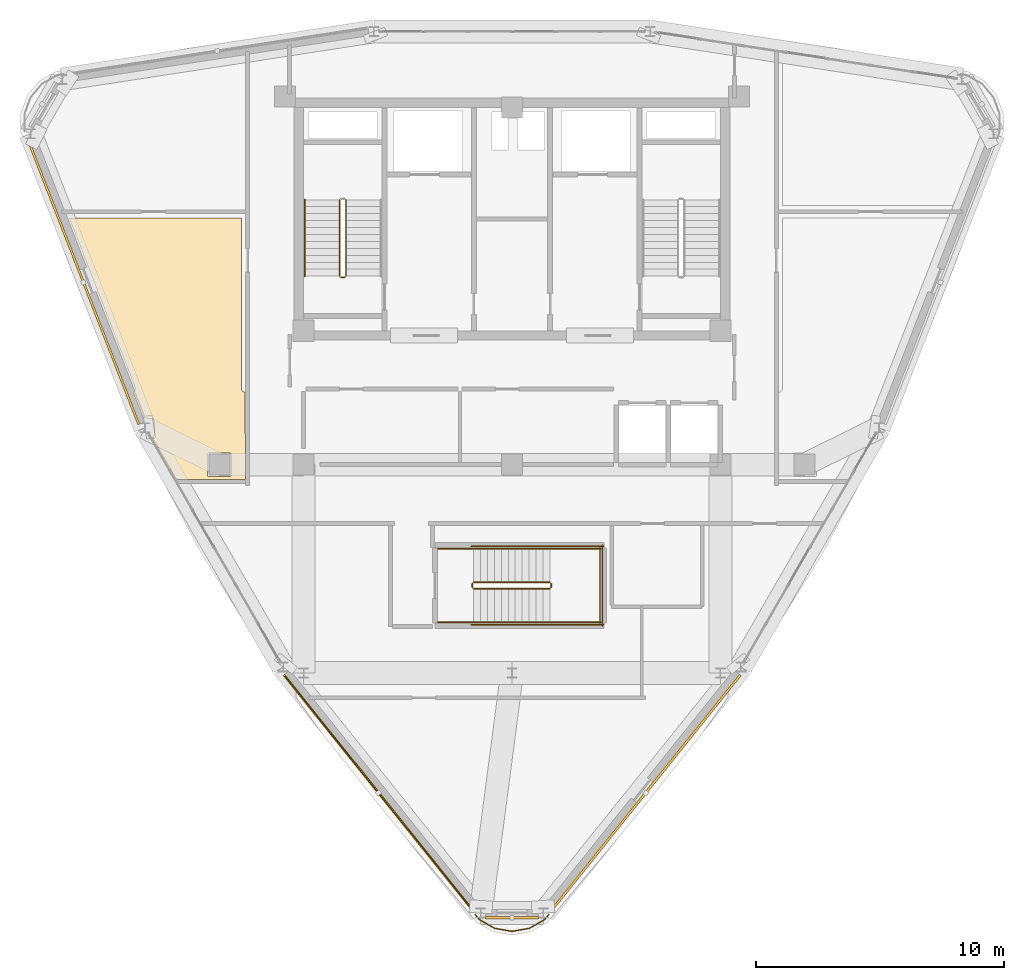
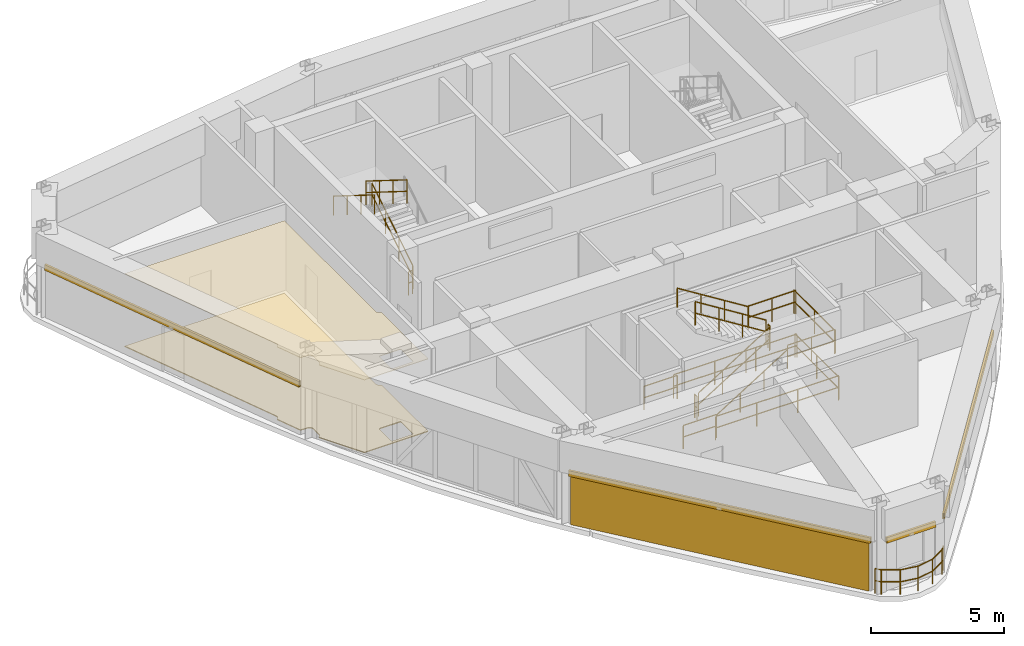
# One storey, part 16 of 17: 19 railings, 4 shading devices, 3 coverings.
"""IFC4 building model written with IfcOpenShell, lengths in metres."""

from ifc_helpers import new_model, si_unit, derived_unit, direction, frame, origin, origin_2d, place, context, subcontext, project, spatial, polyline, hollow_rectangle, circle, outline, extrude, source, transform, mapped, material, layer, layer_set, material_profile, profile_set, type_object, element, save


model = new_model("IFC4")

# Units and contexts
model_context = context("Model", 3, precision=1e-05, world=origin(), true_north=direction((0.0, 1.0)))
body_context = subcontext(model_context, "Body", "Model", "MODEL_VIEW")
ifc_project = project(units=[si_unit("LENGTHUNIT", "METRE"), si_unit("AREAUNIT", "SQUARE_METRE"), si_unit("VOLUMEUNIT", "CUBIC_METRE"), si_unit("PLANEANGLEUNIT", "RADIAN"), si_unit("MASSUNIT", "GRAM", prefix="KILO"), derived_unit("THERMALTRANSMITTANCEUNIT", [(si_unit("POWERUNIT", "WATT"), 1), (si_unit("LENGTHUNIT", "METRE"), -2), (si_unit("THERMODYNAMICTEMPERATUREUNIT", "KELVIN"), -1)])], contexts=[model_context])

# Site, building, storey
site_placement = place(None, origin())
site = spatial("IfcSite", under=ifc_project, at=site_placement, CompositionType="ELEMENT")
building_placement = place(site_placement, origin())
building = spatial("IfcBuilding", under=site, at=building_placement, Name="Korsvarv Bourse and Concert Hall", CompositionType="ELEMENT")
storey_placement = place(building_placement, frame((0.0, 0.0, 279.60009765625)))
storey = spatial("IfcBuildingStorey", under=building, at=storey_placement, Name="L73", CompositionType="ELEMENT", Elevation=279.60009765625)

# Coverings
ifc_material_1 = material(Name="Perforated mineral-wool and birch acoustic baffle ceiling", Category="wood")
ifc_layer_1 = layer(ifc_material_1, 0.02490234375)
ifc_layer_set_1 = layer_set([ifc_layer_1], Name="Perforated mineral-wool and birch acoustic baffle ceiling")
covering_type_1 = type_object("IfcCoveringType", Name="COV-CEIL-1", PredefinedType="CEILING", material=ifc_layer_set_1)
covering_1_placement = place(storey_placement, frame((0.0, 0.0, 3.33984375)))
element("IfcCovering", 1, at=covering_1_placement, inside=storey, type_object=covering_type_1, Name="L73 acoustic baffle ceiling 2", PredefinedType="CEILING", context=body_context, shape_type="SweptSolid", body=[
    extrude(outline(polyline([(20.71923828125, 35.323486328125), (20.748291015625, 35.344970703125), (20.7724609375, 35.371826171875), (20.79052734375, 35.40283203125), (20.80224609375, 35.43701171875), (20.806884765625, 35.47265625), (20.804443359375, 35.508544921875), (20.794921875, 35.543212890625), (18.1494140625, 42.35009765625), (25.090087890625, 42.35009765625), (25.090087890625, 35.489990234375), (25.09375, 35.453857421875), (25.1044921875, 35.4189453125), (25.122314453125, 35.38720703125), (25.14599609375, 35.359619140625), (25.1748046875, 35.33740234375), (25.20751953125, 35.3212890625), (25.24267578125, 35.31201171875), (25.25, 31.81005859375), (22.55419921875, 31.81005859375), (22.517333984375, 31.80615234375), (22.4833984375, 31.79541015625), (21.488037109375, 33.519775390625), (21.5185546875, 33.53955078125), (21.54345703125, 33.563720703125), (21.56298828125, 33.59228515625), (21.576904296875, 33.624267578125), (21.58447265625, 33.658203125), (21.595703125, 34.08447265625), (21.593017578125, 34.11962890625), (21.583740234375, 34.15380859375), (21.56787109375, 34.185302734375), (21.546142578125, 34.212890625), (21.519287109375, 34.236083984375), (21.48876953125, 34.25341796875), (21.455078125, 34.264404296875), (21.420166015625, 34.268798828125), (21.128173828125, 34.27587890625), (20.71923828125, 35.323486328125)]), holes=[polyline([(23.76513671875, 31.926025390625), (24.625, 31.925048828125), (24.648681640625, 31.930908203125), (24.66650390625, 31.947265625), (24.6748046875, 31.97021484375), (24.675048828125, 32.824951171875), (24.669189453125, 32.8486328125), (24.65283203125, 32.86669921875), (24.6298828125, 32.874755859375), (23.77490234375, 32.875), (23.75146484375, 32.869140625), (23.7333984375, 32.852783203125), (23.72509765625, 32.829833984375), (23.72509765625, 31.97509765625), (23.73095703125, 31.951416015625), (23.76513671875, 31.926025390625)])]), origin(), (0.0, 0.0, 1.0), 0.025146484375),
])
ifc_material_2 = material(Name="Warm iron-oxide extruded terracotta rainscreen tile", Category="ceramic")
ifc_layer_2 = layer(ifc_material_2, 0.044921875)
ifc_layer_set_2 = layer_set([ifc_layer_2], Name="Warm iron-oxide extruded terracotta rainscreen tile")
covering_type_2 = type_object("IfcCoveringType", Name="COV-CLD-TC", PredefinedType="CLADDING", material=ifc_layer_set_2)
covering_2_placement = place(storey_placement, origin())
element("IfcCovering", 2, at=covering_2_placement, inside=storey, type_object=covering_type_2, Name="L73 fluted terracotta cladding panel EW-L73-B08", PredefinedType="CLADDING", context=body_context, shape_type="SweptSolid", body=[
    extrude(outline(polyline([(26.8837890625, 23.891357421875), (34.413330078125, 14.505859375), (34.378173828125, 14.477783203125), (26.8486328125, 23.86328125), (26.8837890625, 23.891357421875)])), origin(), (0.0, 0.0, 1.0), 2.199951171875),
])
ifc_material_3 = material(Name="Calcium-sulphate raised access trading floor with Nordic oak top", Category="wood")
ifc_layer_3 = layer(ifc_material_3, 0.0400390625)
ifc_layer_set_3 = layer_set([ifc_layer_3], Name="Calcium-sulphate raised access trading floor with Nordic oak top")
covering_type_3 = type_object("IfcCoveringType", Name="COV-FLOR-1", PredefinedType="FLOORING", material=ifc_layer_set_3)
covering_3_placement = place(storey_placement, origin())
element("IfcCovering", 3, at=covering_3_placement, inside=storey, type_object=covering_type_3, Name="L73 raised access oak floor finish 2", PredefinedType="FLOORING", context=body_context, shape_type="SweptSolid", body=[
    extrude(outline(polyline([(20.71923828125, 35.323486328125), (20.748291015625, 35.344970703125), (20.7724609375, 35.371826171875), (20.79052734375, 35.40283203125), (20.80224609375, 35.43701171875), (20.806884765625, 35.47265625), (20.804443359375, 35.508544921875), (20.794921875, 35.543212890625), (18.1494140625, 42.35009765625), (25.090087890625, 42.35009765625), (25.090087890625, 35.489990234375), (25.09375, 35.453857421875), (25.1044921875, 35.4189453125), (25.122314453125, 35.38720703125), (25.14599609375, 35.359619140625), (25.1748046875, 35.33740234375), (25.20751953125, 35.3212890625), (25.24267578125, 35.31201171875), (25.25, 31.81005859375), (22.55419921875, 31.81005859375), (22.517333984375, 31.80615234375), (22.4833984375, 31.79541015625), (21.488037109375, 33.519775390625), (21.5185546875, 33.53955078125), (21.54345703125, 33.563720703125), (21.56298828125, 33.59228515625), (21.576904296875, 33.624267578125), (21.58447265625, 33.658203125), (21.595703125, 34.08447265625), (21.593017578125, 34.11962890625), (21.583740234375, 34.15380859375), (21.56787109375, 34.185302734375), (21.546142578125, 34.212890625), (21.519287109375, 34.236083984375), (21.48876953125, 34.25341796875), (21.455078125, 34.264404296875), (21.420166015625, 34.268798828125), (21.128173828125, 34.27587890625), (20.71923828125, 35.323486328125)]), holes=[polyline([(23.76513671875, 31.926025390625), (24.625, 31.925048828125), (24.648681640625, 31.930908203125), (24.66650390625, 31.947265625), (24.6748046875, 31.97021484375), (24.675048828125, 32.824951171875), (24.669189453125, 32.8486328125), (24.65283203125, 32.86669921875), (24.6298828125, 32.874755859375), (23.77490234375, 32.875), (23.75146484375, 32.869140625), (23.7333984375, 32.852783203125), (23.72509765625, 32.829833984375), (23.72509765625, 31.97509765625), (23.73095703125, 31.951416015625), (23.76513671875, 31.926025390625)])]), origin(), (0.0, 0.0, 1.0), 0.039794921875),
])

# Railings
ifc_material_4 = material(Name="Laminated safety glass and stainless Steel S355 balustrade", Category="steel")
railing_type_1 = type_object("IfcRailingType", Name="RL-BAL-EXT", PredefinedType="BALUSTRADE", material=ifc_material_4)
railing_1_placement = place(storey_placement, frame((37.482421875, 14.259765625, 0.0)))
element("IfcRailing", 4, at=railing_1_placement, inside=storey, type_object=railing_type_1, Name="L73 terrace perimeter balustrade SKYG3-1", PredefinedType="BALUSTRADE", context=body_context, shape_type="SweptSolid", body=[
    extrude(circle(Radius=0.02392578125, at=origin_2d()), frame((0.0, 0.0, 1.1259765625), z_axis=(-0.642465666798, -0.766314470036, 0.0), x_axis=(0.766314470036, -0.642465666798, 0.0)), (0.0, 0.0, 1.0), 0.25244140625),
    extrude(circle(Radius=0.02392578125, at=origin_2d()), frame((0.0, 0.0, 0.574951171875), z_axis=(-0.642465666798, -0.766314470036, 0.0), x_axis=(0.766314470036, -0.642465666798, 0.0)), (0.0, 0.0, 1.0), 0.25244140625),
    extrude(circle(Radius=0.02392578125, at=origin_2d()), frame((-0.162109375, -0.193359375, 1.1259765625), z_axis=(-0.866128586522, -0.499821239653, 0.0), x_axis=(0.499821239653, -0.866128586522, 0.0)), (0.0, 0.0, 1.0), 0.713134765625),
    extrude(circle(Radius=0.02392578125, at=origin_2d()), frame((-0.162109375, -0.193359375, 0.574951171875), z_axis=(-0.866128586522, -0.499821239653, 0.0), x_axis=(0.499821239653, -0.866128586522, 0.0)), (0.0, 0.0, 1.0), 0.713134765625),
    extrude(circle(Radius=0.02392578125, at=origin_2d()), frame((-0.77978515625, -0.5498046875, 1.1259765625), z_axis=(-0.984776668635, -0.173824373755, 0.0), x_axis=(0.173824373755, -0.984776668635, 0.0)), (0.0, 0.0, 1.0), 0.71337890625),
    extrude(circle(Radius=0.02392578125, at=origin_2d()), frame((-0.77978515625, -0.5498046875, 0.574951171875), z_axis=(-0.984776668635, -0.173824373755, 0.0), x_axis=(0.173824373755, -0.984776668635, 0.0)), (0.0, 0.0, 1.0), 0.71337890625),
    extrude(circle(Radius=0.02392578125, at=origin_2d()), frame((-1.482421875, -0.673828125, 1.1259765625), z_axis=(-0.984776668635, 0.173824373755, 0.0), x_axis=(-0.173824373755, -0.984776668635, 0.0)), (0.0, 0.0, 1.0), 0.71337890625),
    extrude(circle(Radius=0.02392578125, at=origin_2d()), frame((-1.482421875, -0.673828125, 0.574951171875), z_axis=(-0.984776668635, 0.173824373755, 0.0), x_axis=(-0.173824373755, -0.984776668635, 0.0)), (0.0, 0.0, 1.0), 0.71337890625),
    extrude(circle(Radius=0.02392578125, at=origin_2d()), frame((-2.18505859375, -0.5498046875, 1.1259765625), z_axis=(-0.866128586522, 0.499821239653, 0.0), x_axis=(-0.499821239653, -0.866128586522, 0.0)), (0.0, 0.0, 1.0), 0.713134765625),
    extrude(circle(Radius=0.02392578125, at=origin_2d()), frame((-2.18505859375, -0.5498046875, 0.574951171875), z_axis=(-0.866128586522, 0.499821239653, 0.0), x_axis=(-0.499821239653, -0.866128586522, 0.0)), (0.0, 0.0, 1.0), 0.713134765625),
    extrude(circle(Radius=0.02392578125, at=origin_2d()), frame((-2.802734375, -0.193359375, 1.1259765625), z_axis=(-0.642465666798, 0.766314470036, 0.0), x_axis=(-0.766314470036, -0.642465666798, 0.0)), (0.0, 0.0, 1.0), 0.25244140625),
    extrude(circle(Radius=0.02392578125, at=origin_2d()), frame((-2.802734375, -0.193359375, 0.574951171875), z_axis=(-0.642465666798, 0.766314470036, 0.0), x_axis=(-0.766314470036, -0.642465666798, 0.0)), (0.0, 0.0, 1.0), 0.25244140625),
    extrude(circle(Radius=0.02099609375, at=origin_2d()), origin(), (0.0, 0.0, 1.0), 1.101806640625),
    extrude(circle(Radius=0.02099609375, at=origin_2d()), frame((-0.162109375, -0.193359375, 0.0)), (0.0, 0.0, 1.0), 1.101806640625),
    extrude(circle(Radius=0.02099609375, at=origin_2d()), frame((-0.77978515625, -0.5498046875, 0.0)), (0.0, 0.0, 1.0), 1.101806640625),
    extrude(circle(Radius=0.02099609375, at=origin_2d()), frame((-1.482421875, -0.673828125, 0.0)), (0.0, 0.0, 1.0), 1.101806640625),
    extrude(circle(Radius=0.02099609375, at=origin_2d()), frame((-2.18505859375, -0.5498046875, 0.0)), (0.0, 0.0, 1.0), 1.101806640625),
    extrude(circle(Radius=0.02099609375, at=origin_2d()), frame((-2.802734375, -0.193359375, 0.0)), (0.0, 0.0, 1.0), 1.101806640625),
    extrude(circle(Radius=0.02099609375, at=origin_2d()), frame((-2.96484375, 0.0, 0.0)), (0.0, 0.0, 1.0), 1.101806640625),
])
ifc_material_5 = material(Name="Painted Steel S355 stair well guardrail", Category="steel")
railing_type_2 = type_object("IfcRailingType", Name="RL-ST-GRD", PredefinedType="GUARDRAIL", material=ifc_material_5)
railing_2_placement = place(storey_placement, frame((29.31005859375, 40.0, 0.1748046875)))
element("IfcRailing", 5, at=railing_2_placement, inside=storey, type_object=railing_type_2, Name="L73 ST-T1 stair guard 1", PredefinedType="GUARDRAIL", context=body_context, shape_type="SweptSolid", body=[
    extrude(circle(Radius=0.02392578125, at=origin_2d()), frame((0.0, 0.0, 1.076171875), z_axis=(0.0, 0.847998304005, 0.529998940003), x_axis=(-1.0, 0.0, 0.0)), (0.0, 0.0, 1.0), 3.632080078125),
    extrude(circle(Radius=0.02392578125, at=origin_2d()), frame((0.0, 0.0, 0.550048828125), z_axis=(0.0, 0.847998304005, 0.529998940003), x_axis=(-1.0, 0.0, 0.0)), (0.0, 0.0, 1.0), 3.632080078125),
    extrude(circle(Radius=0.02099609375, at=origin_2d()), origin(), (0.0, 0.0, 1.0), 1.052001953125),
    extrude(circle(Radius=0.02099609375, at=origin_2d()), frame((0.0, 1.026611328125, 0.6416015625)), (0.0, 0.0, 1.0), 1.052001953125),
    extrude(circle(Radius=0.02099609375, at=origin_2d()), frame((0.0, 2.053466796875, 1.283447265625)), (0.0, 0.0, 1.0), 1.052001953125),
    extrude(circle(Radius=0.02099609375, at=origin_2d()), frame((0.0, 3.080078125, 1.925048828125)), (0.0, 0.0, 1.0), 1.052001953125),
])
railing_3_placement = place(storey_placement, frame((29.050048828125, 43.080078125, 2.27490234375)))
element("IfcRailing", 6, at=railing_3_placement, inside=storey, type_object=railing_type_2, Name="L73 ST-T1 stair guard 3", PredefinedType="GUARDRAIL", context=body_context, shape_type="SweptSolid", body=[
    extrude(circle(Radius=0.02392578125, at=origin_2d()), frame((0.0, 0.0, 1.076171875), z_axis=(0.0, -0.847998304005, 0.529998940003), x_axis=(1.0, 0.0, 0.0)), (0.0, 0.0, 1.0), 3.632080078125),
    extrude(circle(Radius=0.02392578125, at=origin_2d()), frame((0.0, 0.0, 0.550048828125), z_axis=(0.0, -0.847998304005, 0.529998940003), x_axis=(1.0, 0.0, 0.0)), (0.0, 0.0, 1.0), 3.632080078125),
    extrude(circle(Radius=0.02099609375, at=origin_2d()), origin(), (0.0, 0.0, 1.0), 1.052001953125),
    extrude(circle(Radius=0.02099609375, at=origin_2d()), frame((0.0, -1.026611328125, 0.6416015625)), (0.0, 0.0, 1.0), 1.052001953125),
    extrude(circle(Radius=0.02099609375, at=origin_2d()), frame((0.0, -2.053466796875, 1.283447265625)), (0.0, 0.0, 1.0), 1.052001953125),
    extrude(circle(Radius=0.02099609375, at=origin_2d()), frame((0.0, -3.080078125, 1.925048828125)), (0.0, 0.0, 1.0), 1.052001953125),
])
railing_4_placement = place(storey_placement, frame((29.260009765625, 39.949951171875, 0.0)))
element("IfcRailing", 7, at=railing_4_placement, inside=storey, type_object=railing_type_2, Name="L73 ST-T1 stair guard 4", PredefinedType="GUARDRAIL", context=body_context, shape_type="SweptSolid", body=[
    extrude(circle(Radius=0.02392578125, at=origin_2d()), frame((0.0, 0.0, 1.076171875), z_axis=(-1.0, 0.0, 0.0), x_axis=(0.0, -1.0, 0.0)), (0.0, 0.0, 1.0), 0.159912109375),
    extrude(circle(Radius=0.02392578125, at=origin_2d()), frame((0.0, 0.0, 0.550048828125), z_axis=(-1.0, 0.0, 0.0), x_axis=(0.0, -1.0, 0.0)), (0.0, 0.0, 1.0), 0.159912109375),
    extrude(circle(Radius=0.02099609375, at=origin_2d()), origin(), (0.0, 0.0, 1.0), 1.052001953125),
    extrude(circle(Radius=0.02099609375, at=origin_2d()), frame((-0.159912109375, 0.0, 0.0)), (0.0, 0.0, 1.0), 1.052001953125),
])
railing_5_placement = place(storey_placement, frame((34.449951171875, 27.39990234375, 0.1748046875)))
element("IfcRailing", 8, at=railing_5_placement, inside=storey, type_object=railing_type_2, Name="L73 ST-LK1 stair guard 1", PredefinedType="GUARDRAIL", context=body_context, shape_type="SweptSolid", body=[
    extrude(circle(Radius=0.02392578125, at=origin_2d()), frame((0.0, 0.0, 1.076171875), z_axis=(0.847998304005, 0.0, 0.529998940003), x_axis=(0.0, 1.0, 0.0)), (0.0, 0.0, 1.0), 3.632080078125),
    extrude(circle(Radius=0.02392578125, at=origin_2d()), frame((0.0, 0.0, 0.550048828125), z_axis=(0.847998304005, 0.0, 0.529998940003), x_axis=(0.0, 1.0, 0.0)), (0.0, 0.0, 1.0), 3.632080078125),
    extrude(circle(Radius=0.02099609375, at=origin_2d()), origin(), (0.0, 0.0, 1.0), 1.052001953125),
    extrude(circle(Radius=0.02099609375, at=origin_2d()), frame((1.026611328125, 0.0, 0.6416015625)), (0.0, 0.0, 1.0), 1.052001953125),
    extrude(circle(Radius=0.02099609375, at=origin_2d()), frame((2.053466796875, 0.0, 1.283447265625)), (0.0, 0.0, 1.0), 1.052001953125),
    extrude(circle(Radius=0.02099609375, at=origin_2d()), frame((3.080078125, 0.0, 1.925048828125)), (0.0, 0.0, 1.0), 1.052001953125),
])
railing_6_placement = place(storey_placement, frame((37.580078125, 27.449951171875, 2.099853515625)))
element("IfcRailing", 9, at=railing_6_placement, inside=storey, type_object=railing_type_2, Name="L73 ST-LK1 stair guard 2", PredefinedType="GUARDRAIL", context=body_context, shape_type="SweptSolid", body=[
    extrude(circle(Radius=0.02392578125, at=origin_2d()), frame((0.0, 0.0, 1.076171875), z_axis=(0.0, 1.0, 0.0), x_axis=(-1.0, 0.0, 0.0)), (0.0, 0.0, 1.0), 0.16015625),
    extrude(circle(Radius=0.02392578125, at=origin_2d()), frame((0.0, 0.0, 0.550048828125), z_axis=(0.0, 1.0, 0.0), x_axis=(-1.0, 0.0, 0.0)), (0.0, 0.0, 1.0), 0.16015625),
    extrude(circle(Radius=0.02099609375, at=origin_2d()), origin(), (0.0, 0.0, 1.0), 1.052001953125),
    extrude(circle(Radius=0.02099609375, at=origin_2d()), frame((0.0, 0.16015625, 0.0)), (0.0, 0.0, 1.0), 1.052001953125),
])
for number, where, name in (
    (10, (37.530029296875, 26.050048828125, 2.099853515625), "L73 ST-LK1 stair guard 3"),
    (11, (37.530029296875, 29.010009765625, 2.099853515625), "L73 ST-LK1 stair guard 4"),
):
    element("IfcRailing", number, at=place(storey_placement, frame(where)), inside=storey, type_object=railing_type_2, Name=name, PredefinedType="GUARDRAIL", context=body_context, shape_type="SweptSolid", body=[
        extrude(circle(Radius=0.02392578125, at=origin_2d()), frame((0.0, 0.0, 1.076171875), z_axis=(1.0, 0.0, 0.0), x_axis=(0.0, 1.0, 0.0)), (0.0, 0.0, 1.0), 2.070068359375),
        extrude(circle(Radius=0.02392578125, at=origin_2d()), frame((0.0, 0.0, 0.550048828125), z_axis=(1.0, 0.0, 0.0), x_axis=(0.0, 1.0, 0.0)), (0.0, 0.0, 1.0), 2.070068359375),
        extrude(circle(Radius=0.02099609375, at=origin_2d()), origin(), (0.0, 0.0, 1.0), 1.052001953125),
        extrude(circle(Radius=0.02099609375, at=origin_2d()), frame((1.03515625, 0.0, 0.0)), (0.0, 0.0, 1.0), 1.052001953125),
        extrude(circle(Radius=0.02099609375, at=origin_2d()), frame((2.070068359375, 0.0, 0.0)), (0.0, 0.0, 1.0), 1.052001953125),
    ])
railing_7_placement = place(storey_placement, frame((39.550048828125, 26.0, 2.099853515625)))
element("IfcRailing", 12, at=railing_7_placement, inside=storey, type_object=railing_type_2, Name="L73 ST-LK1 stair guard 5", PredefinedType="GUARDRAIL", context=body_context, shape_type="SweptSolid", body=[
    extrude(circle(Radius=0.02392578125, at=origin_2d()), frame((0.0, 0.0, 1.076171875), z_axis=(0.0, 1.0, 0.0), x_axis=(-1.0, 0.0, 0.0)), (0.0, 0.0, 1.0), 3.06005859375),
    extrude(circle(Radius=0.02392578125, at=origin_2d()), frame((0.0, 0.0, 0.550048828125), z_axis=(0.0, 1.0, 0.0), x_axis=(-1.0, 0.0, 0.0)), (0.0, 0.0, 1.0), 3.06005859375),
    extrude(circle(Radius=0.02099609375, at=origin_2d()), origin(), (0.0, 0.0, 1.0), 1.052001953125),
    extrude(circle(Radius=0.02099609375, at=origin_2d()), frame((0.0, 1.530029296875, 0.0)), (0.0, 0.0, 1.0), 1.052001953125),
    extrude(circle(Radius=0.02099609375, at=origin_2d()), frame((0.0, 3.06005859375, 0.0)), (0.0, 0.0, 1.0), 1.052001953125),
])
railing_8_placement = place(storey_placement, frame((37.530029296875, 27.659912109375, 2.27490234375)))
element("IfcRailing", 13, at=railing_8_placement, inside=storey, type_object=railing_type_2, Name="L73 ST-LK1 stair guard 6", PredefinedType="GUARDRAIL", context=body_context, shape_type="SweptSolid", body=[
    extrude(circle(Radius=0.02392578125, at=origin_2d()), frame((0.0, 0.0, 1.076171875), z_axis=(-0.847998304005, 0.0, 0.529998940003), x_axis=(0.0, -1.0, 0.0)), (0.0, 0.0, 1.0), 3.632080078125),
    extrude(circle(Radius=0.02392578125, at=origin_2d()), frame((0.0, 0.0, 0.550048828125), z_axis=(-0.847998304005, 0.0, 0.529998940003), x_axis=(0.0, -1.0, 0.0)), (0.0, 0.0, 1.0), 3.632080078125),
    extrude(circle(Radius=0.02099609375, at=origin_2d()), origin(), (0.0, 0.0, 1.0), 1.052001953125),
    extrude(circle(Radius=0.02099609375, at=origin_2d()), frame((-1.026611328125, 0.0, 0.6416015625)), (0.0, 0.0, 1.0), 1.052001953125),
    extrude(circle(Radius=0.02099609375, at=origin_2d()), frame((-2.053466796875, 0.0, 1.283447265625)), (0.0, 0.0, 1.0), 1.052001953125),
    extrude(circle(Radius=0.02099609375, at=origin_2d()), frame((-3.080078125, 0.0, 1.925048828125)), (0.0, 0.0, 1.0), 1.052001953125),
])
railing_9_placement = place(storey_placement, frame((34.39990234375, 27.449951171875, 0.0)))
element("IfcRailing", 14, at=railing_9_placement, inside=storey, type_object=railing_type_2, Name="L73 ST-LK1 stair guard 7", PredefinedType="GUARDRAIL", context=body_context, shape_type="SweptSolid", body=[
    extrude(circle(Radius=0.02392578125, at=origin_2d()), frame((0.0, 0.0, 1.076171875), z_axis=(0.0, 1.0, 0.0), x_axis=(-1.0, 0.0, 0.0)), (0.0, 0.0, 1.0), 0.16015625),
    extrude(circle(Radius=0.02392578125, at=origin_2d()), frame((0.0, 0.0, 0.550048828125), z_axis=(0.0, 1.0, 0.0), x_axis=(-1.0, 0.0, 0.0)), (0.0, 0.0, 1.0), 0.16015625),
    extrude(circle(Radius=0.02099609375, at=origin_2d()), origin(), (0.0, 0.0, 1.0), 1.052001953125),
    extrude(circle(Radius=0.02099609375, at=origin_2d()), frame((0.0, 0.16015625, 0.0)), (0.0, 0.0, 1.0), 1.052001953125),
])
for number, where, name in (
    (15, (33.0, 26.050048828125, 0.0), "L73 ST-LK1 stair guard 8"),
    (16, (33.0, 29.010009765625, 0.0), "L73 ST-LK1 stair guard 9"),
):
    element("IfcRailing", number, at=place(storey_placement, frame(where)), inside=storey, type_object=railing_type_2, Name=name, PredefinedType="GUARDRAIL", context=body_context, shape_type="SweptSolid", body=[
        extrude(circle(Radius=0.02392578125, at=origin_2d()), frame((0.0, 0.0, 1.076171875), z_axis=(1.0, 0.0, 0.0), x_axis=(0.0, 1.0, 0.0)), (0.0, 0.0, 1.0), 1.449951171875),
        extrude(circle(Radius=0.02392578125, at=origin_2d()), frame((0.0, 0.0, 0.550048828125), z_axis=(1.0, 0.0, 0.0), x_axis=(0.0, 1.0, 0.0)), (0.0, 0.0, 1.0), 1.449951171875),
        extrude(circle(Radius=0.02099609375, at=origin_2d()), origin(), (0.0, 0.0, 1.0), 1.052001953125),
        extrude(circle(Radius=0.02099609375, at=origin_2d()), frame((1.449951171875, 0.0, 0.0)), (0.0, 0.0, 1.0), 1.052001953125),
    ])
for number, where, name in (
    (17, (34.35009765625, 25.949951171875, 0.0), "L73 ST-LK1 stair guard 10"),
    (18, (34.35009765625, 29.110107421875, 0.0), "L73 ST-LK1 stair guard 11"),
):
    element("IfcRailing", number, at=place(storey_placement, frame(where)), inside=storey, type_object=railing_type_2, Name=name, PredefinedType="GUARDRAIL", context=body_context, shape_type="SweptSolid", body=[
        extrude(circle(Radius=0.02392578125, at=origin_2d()), frame((0.0, 0.0, 1.076171875), z_axis=(1.0, 0.0, 0.0), x_axis=(0.0, 1.0, 0.0)), (0.0, 0.0, 1.0), 5.349853515625),
        extrude(circle(Radius=0.02392578125, at=origin_2d()), frame((0.0, 0.0, 0.550048828125), z_axis=(1.0, 0.0, 0.0), x_axis=(0.0, 1.0, 0.0)), (0.0, 0.0, 1.0), 5.349853515625),
        extrude(circle(Radius=0.02099609375, at=origin_2d()), origin(), (0.0, 0.0, 1.0), 1.052001953125),
        extrude(circle(Radius=0.02099609375, at=origin_2d()), frame((1.783203125, 0.0, 0.0)), (0.0, 0.0, 1.0), 1.052001953125),
        extrude(circle(Radius=0.02099609375, at=origin_2d()), frame((3.566650390625, 0.0, 0.0)), (0.0, 0.0, 1.0), 1.052001953125),
        extrude(circle(Radius=0.02099609375, at=origin_2d()), frame((5.349853515625, 0.0, 0.0)), (0.0, 0.0, 1.0), 1.052001953125),
    ])
railing_10_placement = place(storey_placement, frame((39.64990234375, 25.89990234375, 0.0)))
element("IfcRailing", 19, at=railing_10_placement, inside=storey, type_object=railing_type_2, Name="L73 ST-LK1 stair guard 12", PredefinedType="GUARDRAIL", context=body_context, shape_type="SweptSolid", body=[
    extrude(circle(Radius=0.02392578125, at=origin_2d()), frame((0.0, 0.0, 1.076171875), z_axis=(0.0, 1.0, 0.0), x_axis=(-1.0, 0.0, 0.0)), (0.0, 0.0, 1.0), 3.260009765625),
    extrude(circle(Radius=0.02392578125, at=origin_2d()), frame((0.0, 0.0, 0.550048828125), z_axis=(0.0, 1.0, 0.0), x_axis=(-1.0, 0.0, 0.0)), (0.0, 0.0, 1.0), 3.260009765625),
    extrude(circle(Radius=0.02099609375, at=origin_2d()), origin(), (0.0, 0.0, 1.0), 1.052001953125),
    extrude(circle(Radius=0.02099609375, at=origin_2d()), frame((0.0, 1.6298828125, 0.0)), (0.0, 0.0, 1.0), 1.052001953125),
    extrude(circle(Radius=0.02099609375, at=origin_2d()), frame((0.0, 3.260009765625, 0.0)), (0.0, 0.0, 1.0), 1.052001953125),
])
ifc_material_6 = material(Name="Brushed stainless Steel S355 tubular handrail", Category="steel")
railing_type_3 = type_object("IfcRailingType", Name="RL-ST-HND", PredefinedType="HANDRAIL", material=ifc_material_6)
railing_11_placement = place(storey_placement, frame((27.64990234375, 43.080078125, 2.27490234375)))
element("IfcRailing", 20, at=railing_11_placement, inside=storey, type_object=railing_type_3, Name="L73 ST-T1 stair handrail 2", PredefinedType="HANDRAIL", context=body_context, shape_type="SweptSolid", body=[
    extrude(circle(Radius=0.02392578125, at=origin_2d()), frame((0.0, 0.0, 0.8759765625), z_axis=(0.0, -0.847998304005, 0.529998940003), x_axis=(1.0, 0.0, 0.0)), (0.0, 0.0, 1.0), 3.632080078125),
    extrude(circle(Radius=0.02099609375, at=origin_2d()), origin(), (0.0, 0.0, 1.0), 0.851806640625),
    extrude(circle(Radius=0.02099609375, at=origin_2d()), frame((0.0, -1.026611328125, 0.6416015625)), (0.0, 0.0, 1.0), 0.851806640625),
    extrude(circle(Radius=0.02099609375, at=origin_2d()), frame((0.0, -2.053466796875, 1.283447265625)), (0.0, 0.0, 1.0), 0.851806640625),
    extrude(circle(Radius=0.02099609375, at=origin_2d()), frame((0.0, -3.080078125, 1.925048828125)), (0.0, 0.0, 1.0), 0.851806640625),
])
railing_12_placement = place(storey_placement, frame((34.449951171875, 26.050048828125, 0.1748046875)))
element("IfcRailing", 21, at=railing_12_placement, inside=storey, type_object=railing_type_3, Name="L73 ST-LK1 stair handrail 1", PredefinedType="HANDRAIL", context=body_context, shape_type="SweptSolid", body=[
    extrude(circle(Radius=0.02392578125, at=origin_2d()), frame((0.0, 0.0, 0.8759765625), z_axis=(0.847998304005, 0.0, 0.529998940003), x_axis=(0.0, 1.0, 0.0)), (0.0, 0.0, 1.0), 3.632080078125),
    extrude(circle(Radius=0.02099609375, at=origin_2d()), origin(), (0.0, 0.0, 1.0), 0.851806640625),
    extrude(circle(Radius=0.02099609375, at=origin_2d()), frame((1.026611328125, 0.0, 0.6416015625)), (0.0, 0.0, 1.0), 0.851806640625),
    extrude(circle(Radius=0.02099609375, at=origin_2d()), frame((2.053466796875, 0.0, 1.283447265625)), (0.0, 0.0, 1.0), 0.851806640625),
    extrude(circle(Radius=0.02099609375, at=origin_2d()), frame((3.080078125, 0.0, 1.925048828125)), (0.0, 0.0, 1.0), 0.851806640625),
])
railing_13_placement = place(storey_placement, frame((37.530029296875, 29.010009765625, 2.27490234375)))
element("IfcRailing", 22, at=railing_13_placement, inside=storey, type_object=railing_type_3, Name="L73 ST-LK1 stair handrail 2", PredefinedType="HANDRAIL", context=body_context, shape_type="SweptSolid", body=[
    extrude(circle(Radius=0.02392578125, at=origin_2d()), frame((0.0, 0.0, 0.8759765625), z_axis=(-0.847998304005, 0.0, 0.529998940003), x_axis=(0.0, -1.0, 0.0)), (0.0, 0.0, 1.0), 3.632080078125),
    extrude(circle(Radius=0.02099609375, at=origin_2d()), origin(), (0.0, 0.0, 1.0), 0.851806640625),
    extrude(circle(Radius=0.02099609375, at=origin_2d()), frame((-1.026611328125, 0.0, 0.6416015625)), (0.0, 0.0, 1.0), 0.851806640625),
    extrude(circle(Radius=0.02099609375, at=origin_2d()), frame((-2.053466796875, 0.0, 1.283447265625)), (0.0, 0.0, 1.0), 0.851806640625),
    extrude(circle(Radius=0.02099609375, at=origin_2d()), frame((-3.080078125, 0.0, 1.925048828125)), (0.0, 0.0, 1.0), 0.851806640625),
])

# Shading devices
ifc_material_7 = material(Name="Glazed extruded architectural terracotta", Category="ceramic")
ifc_material_profile = material_profile(ifc_material_7, hollow_rectangle(XDim=0.090087890625, YDim=0.260009765625, WallThickness=0.011962890625, at=origin_2d()), Name="TC-BAG 90x260")
ifc_profile_set = profile_set([ifc_material_profile], Name="Glazed extruded architectural terracotta")
shading_device_type = type_object("IfcShadingDeviceType", Name="SHD-BAG-1", PredefinedType="USERDEFINED", material=ifc_profile_set)
shared_shape_1 = source(origin(), body_context, "Body", "SweptSolid", [
    extrude(hollow_rectangle(XDim=0.090087890625, YDim=0.260009765625, WallThickness=0.011962890625, at=origin_2d()), origin(), (0.0, 0.0, 1.0), 12.278076171875),
])
shading_device_1_placement = place(storey_placement, frame((16.501220703125, 45.46923828125, 2.35986328125), z_axis=(0.362611301042, -0.931940472539, 0.0), x_axis=(0.931940472539, 0.362611301042, 0.0)))
element("IfcShadingDevice", 23, at=shading_device_1_placement, inside=storey, type_object=shading_device_type, Name="L73 terracotta baguette sunshade EW-L73-B06", ObjectType="BAGUETTE", PredefinedType="USERDEFINED", context=body_context, shape_type="MappedRepresentation", body=[
    mapped(shared_shape_1, transform((0.0, 0.0, 0.0), scale=1.0)),
])
shared_shape_2 = source(origin(), body_context, "Body", "SweptSolid", [
    extrude(hollow_rectangle(XDim=0.090087890625, YDim=0.260009765625, WallThickness=0.011962890625, at=origin_2d()), origin(), (0.0, 0.0, 1.0), 12.1923828125),
])
for number, where, z_axis, x_axis, name in (
    (24, (26.802490234375, 23.9287109375, 2.35986328125), (0.625766469369, -0.780010465195, 0.0), (0.780010465195, 0.625766469369, 0.0), "L73 terracotta baguette sunshade EW-L73-B08"),
    (25, (37.57568359375, 14.412109375, 2.35986328125), (0.625766469369, 0.780010465195, 0.0), (-0.780010465195, 0.625766469369, 0.0), "L73 terracotta baguette sunshade EW-L73-B10"),
):
    element("IfcShadingDevice", number, at=place(storey_placement, frame(where, z_axis=z_axis, x_axis=x_axis)), inside=storey, type_object=shading_device_type, Name=name, ObjectType="BAGUETTE", PredefinedType="USERDEFINED", context=body_context, shape_type="MappedRepresentation", body=[
        mapped(shared_shape_2, transform((0.0, 0.0, 0.0), scale=1.0)),
    ])
shared_shape_3 = source(origin(), body_context, "Body", "SweptSolid", [
    extrude(hollow_rectangle(XDim=0.090087890625, YDim=0.260009765625, WallThickness=0.011962890625, at=origin_2d()), origin(), (0.0, 0.0, 1.0), 2.12353515625),
])
shading_device_2_placement = place(storey_placement, frame((34.938232421875, 14.138427734375, 2.35986328125), z_axis=(1.0, 0.0, 0.0), x_axis=(0.0, 1.0, 0.0)))
element("IfcShadingDevice", 26, at=shading_device_2_placement, inside=storey, type_object=shading_device_type, Name="L73 terracotta baguette sunshade EW-L73-B09", ObjectType="BAGUETTE", PredefinedType="USERDEFINED", context=body_context, shape_type="MappedRepresentation", body=[
    mapped(shared_shape_3, transform((0.0, 0.0, 0.0), scale=1.0)),
])

save(model, "model.ifc")
